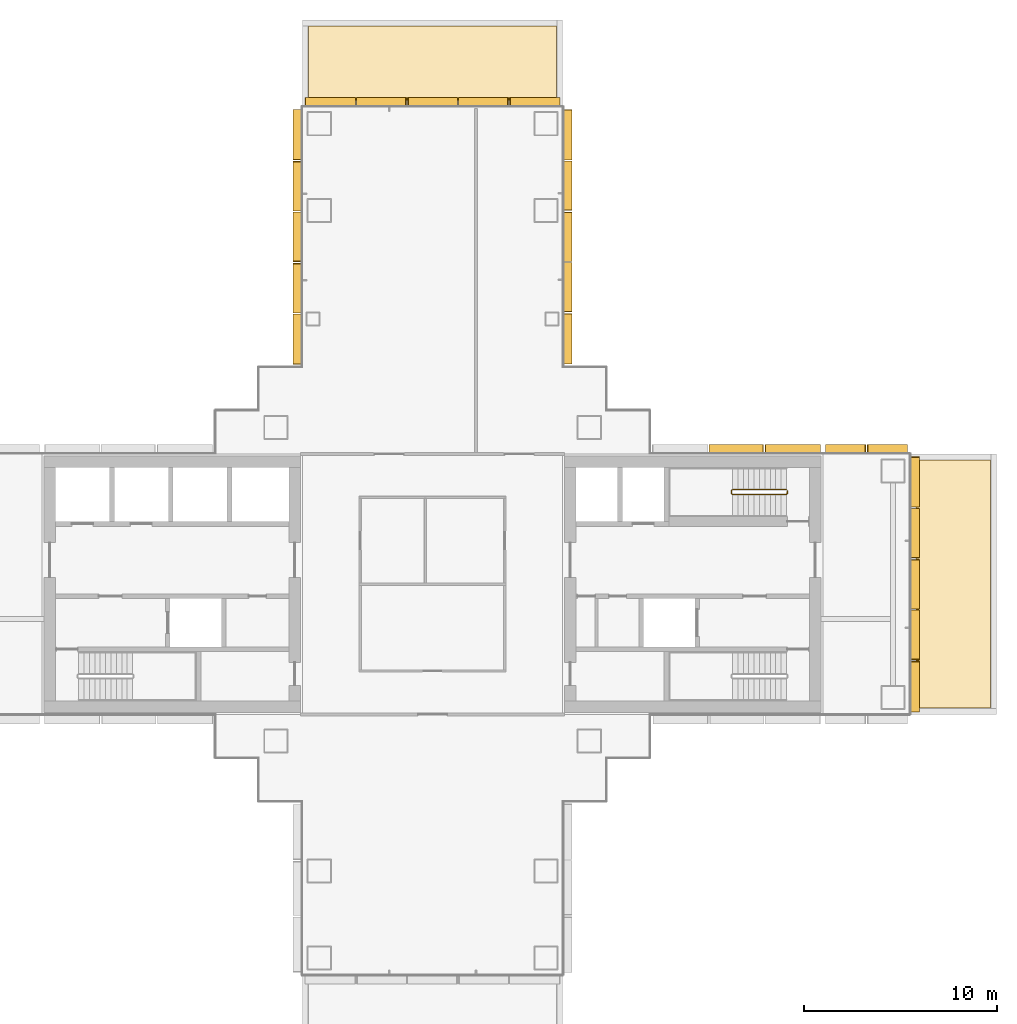
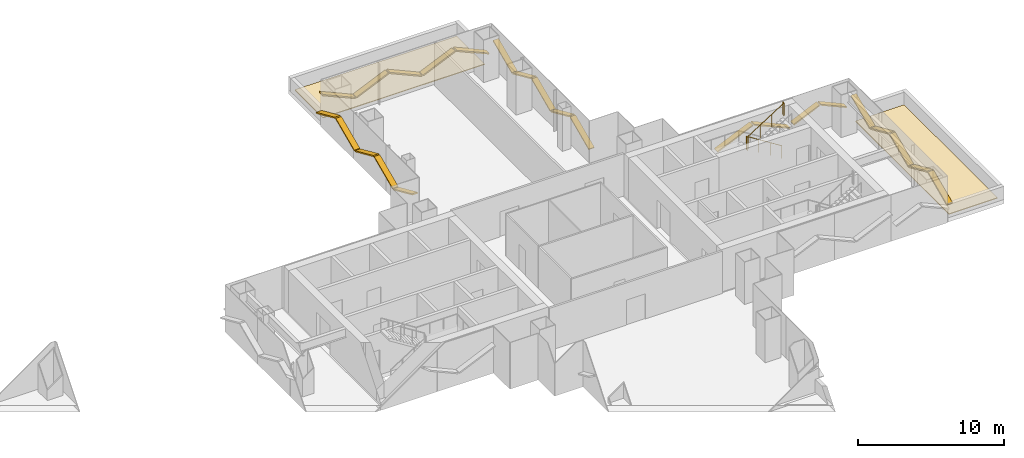
# One storey, part 19 of 20: 24 shading devices, 2 coverings, 1 railing.
"""IFC4 building model written with IfcOpenShell, lengths in metres."""

from ifc_helpers import new_model, si_unit, direction, frame, origin, origin_2d, place, context, subcontext, project, spatial, polyline, rectangle, circle, outline, extrude, material, layer, layer_set, material_profile, profile_set, type_object, element, save


model = new_model("IFC4")

# Units and contexts
model_context = context("Model", 3, precision=1e-05, world=origin(), true_north=direction((0.0, 1.0)))
body_context = subcontext(model_context, "Body", "Model", "MODEL_VIEW")
ifc_project = project(units=[si_unit("LENGTHUNIT", "METRE"), si_unit("AREAUNIT", "SQUARE_METRE"), si_unit("VOLUMEUNIT", "CUBIC_METRE"), si_unit("PLANEANGLEUNIT", "RADIAN"), si_unit("MASSUNIT", "GRAM", prefix="KILO")], contexts=[model_context])

# Site, building, storey
site_placement = place(None, origin())
site = spatial("IfcSite", under=ifc_project, at=site_placement, CompositionType="ELEMENT")
building_placement = place(site_placement, origin())
building = spatial("IfcBuilding", under=site, at=building_placement, Name="Shamsa Quay Exchange Towers", CompositionType="ELEMENT")
storey_placement = place(building_placement, frame((0.0, 0.0, 81.89990234375)))
storey = spatial("IfcBuildingStorey", under=building, at=storey_placement, Name="L18", CompositionType="ELEMENT", Elevation=81.89990234375)

# Shading devices
ifc_material_1 = material(Name="Aluminium EN AW-6063 T6, black anodised", Category="aluminium")
ifc_material_profile = material_profile(ifc_material_1, rectangle(XDim=0.449951171875, YDim=0.10009765625, at=origin_2d()), Name="FIN450x100")
ifc_profile_set = profile_set([ifc_material_profile], Name="Aluminium EN AW-6063 T6, black anodised")
shading_device_type = type_object("IfcShadingDeviceType", Name="FIN 450x100 BLACK ALUMINIUM", PredefinedType="USERDEFINED", material=ifc_profile_set)
shading_device_1_placement = place(storey_placement, frame((58.764892578125, -6.60009765625, 1.0234375), z_axis=(0.0, 0.913527255138, 0.406777524109), x_axis=(-1.0, 0.0, 0.0)))
element("IfcShadingDevice", 1, at=shading_device_1_placement, inside=storey, type_object=shading_device_type, Name="FIN T2 chevron rib", ObjectType="FIN", PredefinedType="USERDEFINED", context=body_context, shape_type="SweptSolid", body=[
    extrude(rectangle(XDim=0.449951171875, YDim=0.10009765625, at=origin_2d()), origin(), (0.0, 0.0, 1.0), 2.835205078125),
])
shading_device_2_placement = place(storey_placement, frame((58.764892578125, -3.909912109375, 2.16552734375), z_axis=(0.0, 0.913536125794, -0.406757602103), x_axis=(-1.0, 0.0, 0.0)))
element("IfcShadingDevice", 2, at=shading_device_2_placement, inside=storey, type_object=shading_device_type, Name="FIN T2 chevron rib", ObjectType="FIN", PredefinedType="USERDEFINED", context=body_context, shape_type="SweptSolid", body=[
    extrude(rectangle(XDim=0.449951171875, YDim=0.10009765625, at=origin_2d()), origin(), (0.0, 0.0, 1.0), 2.7802734375),
])
shading_device_3_placement = place(storey_placement, frame((58.764892578125, -1.27001953125, 1.03466796875), z_axis=(0.0, 0.913550653139, 0.4067249736), x_axis=(-1.0, 0.0, 0.0)))
element("IfcShadingDevice", 3, at=shading_device_3_placement, inside=storey, type_object=shading_device_type, Name="FIN T2 chevron rib", ObjectType="FIN", PredefinedType="USERDEFINED", context=body_context, shape_type="SweptSolid", body=[
    extrude(rectangle(XDim=0.449951171875, YDim=0.10009765625, at=origin_2d()), origin(), (0.0, 0.0, 1.0), 2.780517578125),
])
shading_device_4_placement = place(storey_placement, frame((58.764892578125, 1.3701171875, 2.16552734375), z_axis=(0.0, 0.913536125794, -0.406757602103), x_axis=(-1.0, 0.0, 0.0)))
element("IfcShadingDevice", 4, at=shading_device_4_placement, inside=storey, type_object=shading_device_type, Name="FIN T2 chevron rib", ObjectType="FIN", PredefinedType="USERDEFINED", context=body_context, shape_type="SweptSolid", body=[
    extrude(rectangle(XDim=0.449951171875, YDim=0.10009765625, at=origin_2d()), origin(), (0.0, 0.0, 1.0), 2.7802734375),
])
shading_device_5_placement = place(storey_placement, frame((58.764892578125, 4.010009765625, 1.0234375), z_axis=(0.0, 0.913527255138, 0.406777524109), x_axis=(-1.0, 0.0, 0.0)))
element("IfcShadingDevice", 5, at=shading_device_5_placement, inside=storey, type_object=shading_device_type, Name="FIN T2 chevron rib", ObjectType="FIN", PredefinedType="USERDEFINED", context=body_context, shape_type="SweptSolid", body=[
    extrude(rectangle(XDim=0.449951171875, YDim=0.10009765625, at=origin_2d()), origin(), (0.0, 0.0, 1.0), 2.835205078125),
])
for number, where, z_axis, x_axis, name in (
    (6, (58.35009765625, 7.014892578125, 1.143798828125), (-0.913569116241, 0.0, 0.406683500835), (0.0, -1.0, 0.0), "FIN T2 chevron rib"),
    (7, (56.199951171875, 7.014892578125, 2.056396484375), (-0.913569116241, 0.0, -0.406683500835), (0.0, -1.0, 0.0), "FIN T2 chevron rib"),
):
    element("IfcShadingDevice", number, at=place(storey_placement, frame(where, z_axis=z_axis, x_axis=x_axis)), inside=storey, type_object=shading_device_type, Name=name, ObjectType="FIN", PredefinedType="USERDEFINED", context=body_context, shape_type="SweptSolid", body=[
        extrude(rectangle(XDim=0.449951171875, YDim=0.10009765625, at=origin_2d()), origin(), (0.0, 0.0, 1.0), 2.243896484375),
    ])
shading_device_6_placement = place(storey_placement, frame((53.85009765625, 7.01904296875, 0.965576171875), z_axis=(-0.913533816972, 0.0, 0.406762787444), x_axis=(0.0, -1.0, 0.0)))
element("IfcShadingDevice", 8, at=shading_device_6_placement, inside=storey, type_object=shading_device_type, Name="FIN T2 chevron rib", ObjectType="FIN", PredefinedType="USERDEFINED", context=body_context, shape_type="SweptSolid", body=[
    extrude(rectangle(XDim=0.449951171875, YDim=0.10009765625, at=origin_2d()), origin(), (0.0, 0.0, 1.0), 3.119873046875),
])
shading_device_7_placement = place(storey_placement, frame((50.89990234375, 7.01904296875, 2.223388671875), z_axis=(-0.913541981537, 0.0, -0.406744450447), x_axis=(0.0, -1.0, 0.0)))
element("IfcShadingDevice", 9, at=shading_device_7_placement, inside=storey, type_object=shading_device_type, Name="FIN T2 chevron rib", ObjectType="FIN", PredefinedType="USERDEFINED", context=body_context, shape_type="SweptSolid", body=[
    extrude(rectangle(XDim=0.449951171875, YDim=0.10009765625, at=origin_2d()), origin(), (0.0, 0.0, 1.0), 3.064697265625),
])
shading_device_8_placement = place(storey_placement, frame((40.764892578125, 11.43798828125, 1.025146484375), z_axis=(0.0, 0.913533553072, 0.406763380126), x_axis=(-1.0, 0.0, 0.0)))
element("IfcShadingDevice", 10, at=shading_device_8_placement, inside=storey, type_object=shading_device_type, Name="FIN T2 chevron rib", ObjectType="FIN", PredefinedType="USERDEFINED", context=body_context, shape_type="SweptSolid", body=[
    extrude(rectangle(XDim=0.449951171875, YDim=0.10009765625, at=origin_2d()), origin(), (0.0, 0.0, 1.0), 2.826904296875),
])
for number, where, z_axis, x_axis, name in (
    (11, (40.764892578125, 14.120361328125, 2.163818359375), (0.0, 0.913557144957, -0.406710391922), (-1.0, 0.0, 0.0), "FIN T2 chevron rib"),
    (12, (40.764892578125, 16.752685546875, 1.036376953125), (0.0, 0.913557144957, 0.406710391922), (-1.0, 0.0, 0.0), "FIN T2 chevron rib"),
):
    element("IfcShadingDevice", number, at=place(storey_placement, frame(where, z_axis=z_axis, x_axis=x_axis)), inside=storey, type_object=shading_device_type, Name=name, ObjectType="FIN", PredefinedType="USERDEFINED", context=body_context, shape_type="SweptSolid", body=[
        extrude(rectangle(XDim=0.449951171875, YDim=0.10009765625, at=origin_2d()), origin(), (0.0, 0.0, 1.0), 2.772216796875),
    ])
shading_device_9_placement = place(storey_placement, frame((40.764892578125, 19.38525390625, 2.163818359375), z_axis=(0.0, 0.913542575134, -0.406743117235), x_axis=(-1.0, 0.0, 0.0)))
element("IfcShadingDevice", 13, at=shading_device_9_placement, inside=storey, type_object=shading_device_type, Name="FIN T2 chevron rib", ObjectType="FIN", PredefinedType="USERDEFINED", context=body_context, shape_type="SweptSolid", body=[
    extrude(rectangle(XDim=0.449951171875, YDim=0.10009765625, at=origin_2d()), origin(), (0.0, 0.0, 1.0), 2.77197265625),
])
shading_device_10_placement = place(storey_placement, frame((40.764892578125, 22.017578125, 1.025146484375), z_axis=(0.0, 0.913533553072, 0.406763380126), x_axis=(-1.0, 0.0, 0.0)))
element("IfcShadingDevice", 14, at=shading_device_10_placement, inside=storey, type_object=shading_device_type, Name="FIN T2 chevron rib", ObjectType="FIN", PredefinedType="USERDEFINED", context=body_context, shape_type="SweptSolid", body=[
    extrude(rectangle(XDim=0.449951171875, YDim=0.10009765625, at=origin_2d()), origin(), (0.0, 0.0, 1.0), 2.826904296875),
])
shading_device_11_placement = place(storey_placement, frame((40.35009765625, 25.014892578125, 1.0234375), z_axis=(-0.913527255138, 0.0, 0.406777524109), x_axis=(0.0, -1.0, 0.0)))
element("IfcShadingDevice", 15, at=shading_device_11_placement, inside=storey, type_object=shading_device_type, Name="FIN T2 chevron rib", ObjectType="FIN", PredefinedType="USERDEFINED", context=body_context, shape_type="SweptSolid", body=[
    extrude(rectangle(XDim=0.449951171875, YDim=0.10009765625, at=origin_2d()), origin(), (0.0, 0.0, 1.0), 2.835205078125),
])
shading_device_12_placement = place(storey_placement, frame((37.659912109375, 25.014892578125, 2.16552734375), z_axis=(-0.913536125794, 0.0, -0.406757602103), x_axis=(0.0, -1.0, 0.0)))
element("IfcShadingDevice", 16, at=shading_device_12_placement, inside=storey, type_object=shading_device_type, Name="FIN T2 chevron rib", ObjectType="FIN", PredefinedType="USERDEFINED", context=body_context, shape_type="SweptSolid", body=[
    extrude(rectangle(XDim=0.449951171875, YDim=0.10009765625, at=origin_2d()), origin(), (0.0, 0.0, 1.0), 2.7802734375),
])
shading_device_13_placement = place(storey_placement, frame((35.02001953125, 25.014892578125, 1.03466796875), z_axis=(-0.913550653139, 0.0, 0.4067249736), x_axis=(0.0, -1.0, 0.0)))
element("IfcShadingDevice", 17, at=shading_device_13_placement, inside=storey, type_object=shading_device_type, Name="FIN T2 chevron rib", ObjectType="FIN", PredefinedType="USERDEFINED", context=body_context, shape_type="SweptSolid", body=[
    extrude(rectangle(XDim=0.449951171875, YDim=0.10009765625, at=origin_2d()), origin(), (0.0, 0.0, 1.0), 2.780517578125),
])
shading_device_14_placement = place(storey_placement, frame((32.3798828125, 25.014892578125, 2.16552734375), z_axis=(-0.913536125794, 0.0, -0.406757602103), x_axis=(0.0, -1.0, 0.0)))
element("IfcShadingDevice", 18, at=shading_device_14_placement, inside=storey, type_object=shading_device_type, Name="FIN T2 chevron rib", ObjectType="FIN", PredefinedType="USERDEFINED", context=body_context, shape_type="SweptSolid", body=[
    extrude(rectangle(XDim=0.449951171875, YDim=0.10009765625, at=origin_2d()), origin(), (0.0, 0.0, 1.0), 2.7802734375),
])
for number, where, z_axis, x_axis, name in (
    (19, (29.739990234375, 25.014892578125, 1.0234375), (-0.913527255138, 0.0, 0.406777524109), (0.0, -1.0, 0.0), "FIN T2 chevron rib"),
    (20, (26.735107421875, 24.60009765625, 1.0234375), (0.0, -0.913527255138, 0.406777524109), (1.0, 0.0, 0.0), "FIN T2 chevron rib"),
):
    element("IfcShadingDevice", number, at=place(storey_placement, frame(where, z_axis=z_axis, x_axis=x_axis)), inside=storey, type_object=shading_device_type, Name=name, ObjectType="FIN", PredefinedType="USERDEFINED", context=body_context, shape_type="SweptSolid", body=[
        extrude(rectangle(XDim=0.449951171875, YDim=0.10009765625, at=origin_2d()), origin(), (0.0, 0.0, 1.0), 2.835205078125),
    ])
shading_device_15_placement = place(storey_placement, frame((26.735107421875, 21.909912109375, 2.16552734375), z_axis=(0.0, -0.913536125794, -0.406757602103), x_axis=(1.0, 0.0, 0.0)))
element("IfcShadingDevice", 21, at=shading_device_15_placement, inside=storey, type_object=shading_device_type, Name="FIN T2 chevron rib", ObjectType="FIN", PredefinedType="USERDEFINED", context=body_context, shape_type="SweptSolid", body=[
    extrude(rectangle(XDim=0.449951171875, YDim=0.10009765625, at=origin_2d()), origin(), (0.0, 0.0, 1.0), 2.7802734375),
])
shading_device_16_placement = place(storey_placement, frame((26.735107421875, 19.27001953125, 1.03466796875), z_axis=(0.0, -0.913550653139, 0.4067249736), x_axis=(1.0, 0.0, 0.0)))
element("IfcShadingDevice", 22, at=shading_device_16_placement, inside=storey, type_object=shading_device_type, Name="FIN T2 chevron rib", ObjectType="FIN", PredefinedType="USERDEFINED", context=body_context, shape_type="SweptSolid", body=[
    extrude(rectangle(XDim=0.449951171875, YDim=0.10009765625, at=origin_2d()), origin(), (0.0, 0.0, 1.0), 2.780517578125),
])
shading_device_17_placement = place(storey_placement, frame((26.735107421875, 16.6298828125, 2.16552734375), z_axis=(0.0, -0.913536125794, -0.406757602103), x_axis=(1.0, 0.0, 0.0)))
element("IfcShadingDevice", 23, at=shading_device_17_placement, inside=storey, type_object=shading_device_type, Name="FIN T2 chevron rib", ObjectType="FIN", PredefinedType="USERDEFINED", context=body_context, shape_type="SweptSolid", body=[
    extrude(rectangle(XDim=0.449951171875, YDim=0.10009765625, at=origin_2d()), origin(), (0.0, 0.0, 1.0), 2.7802734375),
])
shading_device_18_placement = place(storey_placement, frame((26.735107421875, 13.989990234375, 1.0234375), z_axis=(0.0, -0.913527255138, 0.406777524109), x_axis=(1.0, 0.0, 0.0)))
element("IfcShadingDevice", 24, at=shading_device_18_placement, inside=storey, type_object=shading_device_type, Name="FIN T2 chevron rib", ObjectType="FIN", PredefinedType="USERDEFINED", context=body_context, shape_type="SweptSolid", body=[
    extrude(rectangle(XDim=0.449951171875, YDim=0.10009765625, at=origin_2d()), origin(), (0.0, 0.0, 1.0), 2.835205078125),
])

# Coverings
ifc_material_2 = material(Name="Bituminous waterproofing membrane with ballast")
ifc_layer = layer(ifc_material_2, 0.06005859375)
ifc_layer_set = layer_set([ifc_layer], Name="ROOF MEMBRANE 60")
covering_type = type_object("IfcCoveringType", Name="ROOF MEMBRANE 60", PredefinedType="ROOFING", material=ifc_layer_set)
covering_1_placement = place(storey_placement, origin())
element("IfcCovering", 25, at=covering_1_placement, inside=storey, type_object=covering_type, Name="Roof membrane 5.1", PredefinedType="ROOFING", context=body_context, shape_type="SweptSolid", body=[
    extrude(outline(polyline([(27.320068359375, 25.070068359375), (27.320068359375, 28.929931640625), (40.179931640625, 28.929931640625), (40.179931640625, 25.070068359375), (27.320068359375, 25.070068359375)])), origin(), (0.0, 0.0, 1.0), 0.06005859375),
])
covering_2_placement = place(storey_placement, origin())
element("IfcCovering", 26, at=covering_2_placement, inside=storey, type_object=covering_type, Name="Roof membrane 6.1", PredefinedType="ROOFING", context=body_context, shape_type="SweptSolid", body=[
    extrude(outline(polyline([(58.820068359375, -6.429931640625), (58.820068359375, 6.429931640625), (62.679931640625, 6.429931640625), (62.679931640625, -6.429931640625), (58.820068359375, -6.429931640625)])), origin(), (0.0, 0.0, 1.0), 0.06005859375),
])

# Railing
ifc_material_3 = material(Name="Stainless steel", Category="steel")
railing_type = type_object("IfcRailingType", Name="STAIR GUARD 1100", PredefinedType="GUARDRAIL", material=ifc_material_3)
railing_placement = place(storey_placement, frame((52.10009765625, 4.89990234375, 0.177490234375)))
element("IfcRailing", 27, at=railing_placement, inside=storey, type_object=railing_type, Name="L18 ST6 stair guard 1", PredefinedType="GUARDRAIL", context=body_context, shape_type="SweptSolid", body=[
    extrude(circle(Radius=0.02392578125, at=origin_2d()), frame((0.0, 0.0, 1.076171875), z_axis=(-0.844908973607, 0.0, 0.534910110503), x_axis=(0.0, -1.0, 0.0)), (0.0, 0.0, 1.0), 3.31396484375),
    extrude(circle(Radius=0.02392578125, at=origin_2d()), frame((-2.800048828125, 0.0, 2.8486328125), z_axis=(-0.708833529934, -0.705375805398, 0.0), x_axis=(0.705375805398, -0.708833529934, 0.0)), (0.0, 0.0, 1.0), 0.070556640625),
    extrude(circle(Radius=0.02392578125, at=origin_2d()), frame((-2.85009765625, -0.0498046875, 2.8486328125), z_axis=(0.0, -1.0, 0.0), x_axis=(1.0, 0.0, 0.0)), (0.0, 0.0, 1.0), 0.150146484375),
    extrude(circle(Radius=0.02392578125, at=origin_2d()), frame((-2.85009765625, -0.199951171875, 2.8486328125), z_axis=(0.262233686654, -0.262233686654, 0.928691007369), x_axis=(0.707106781187, 0.707106781187, 0.0)), (0.0, 0.0, 1.0), 0.19091796875),
    extrude(circle(Radius=0.02392578125, at=origin_2d()), frame((-2.800048828125, -0.25, 3.02587890625), z_axis=(0.844908973607, 0.0, 0.534910110503), x_axis=(0.0, 1.0, 0.0)), (0.0, 0.0, 1.0), 3.31396484375),
    extrude(circle(Radius=0.02392578125, at=origin_2d()), frame((0.0, -0.25, 4.798828125), z_axis=(0.24142163986, 0.970420317083, 0.0), x_axis=(-0.970420317083, 0.24142163986, 0.0)), (0.0, 0.0, 1.0), 0.206298828125),
    extrude(circle(Radius=0.02392578125, at=origin_2d()), frame((0.0498046875, -0.0498046875, 4.798828125), z_axis=(0.0, -1.0, 0.0), x_axis=(1.0, 0.0, 0.0)), (0.0, 0.0, 1.0), 0.150146484375),
    extrude(circle(Radius=0.02099609375, at=origin_2d()), origin(), (0.0, 0.0, 1.0), 1.052001953125),
    extrude(circle(Radius=0.02099609375, at=origin_2d()), frame((-0.933349609375, 0.0, 0.5908203125)), (0.0, 0.0, 1.0), 1.052001953125),
    extrude(circle(Radius=0.02099609375, at=origin_2d()), frame((-1.86669921875, 0.0, 1.181884765625)), (0.0, 0.0, 1.0), 1.052001953125),
    extrude(circle(Radius=0.02099609375, at=origin_2d()), frame((-2.800048828125, 0.0, 1.772705078125)), (0.0, 0.0, 1.0), 1.052001953125),
    extrude(circle(Radius=0.02099609375, at=origin_2d()), frame((-2.85009765625, -0.0498046875, 1.772705078125)), (0.0, 0.0, 1.0), 1.052001953125),
    extrude(circle(Radius=0.02099609375, at=origin_2d()), frame((-2.85009765625, -0.199951171875, 1.772705078125)), (0.0, 0.0, 1.0), 1.052001953125),
    extrude(circle(Radius=0.02099609375, at=origin_2d()), frame((-2.800048828125, -0.25, 1.949951171875)), (0.0, 0.0, 1.0), 1.052001953125),
    extrude(circle(Radius=0.02099609375, at=origin_2d()), frame((-1.86669921875, -0.25, 2.540771484375)), (0.0, 0.0, 1.0), 1.052001953125),
    extrude(circle(Radius=0.02099609375, at=origin_2d()), frame((-0.933349609375, -0.25, 3.1318359375)), (0.0, 0.0, 1.0), 1.052001953125),
    extrude(circle(Radius=0.02099609375, at=origin_2d()), frame((0.0, -0.25, 3.72265625)), (0.0, 0.0, 1.0), 1.052001953125),
    extrude(circle(Radius=0.02099609375, at=origin_2d()), frame((0.0498046875, -0.0498046875, 3.72265625)), (0.0, 0.0, 1.0), 1.052001953125),
    extrude(circle(Radius=0.02099609375, at=origin_2d()), frame((0.0498046875, -0.199951171875, 3.72265625)), (0.0, 0.0, 1.0), 1.052001953125),
])

save(model, "model.ifc")
